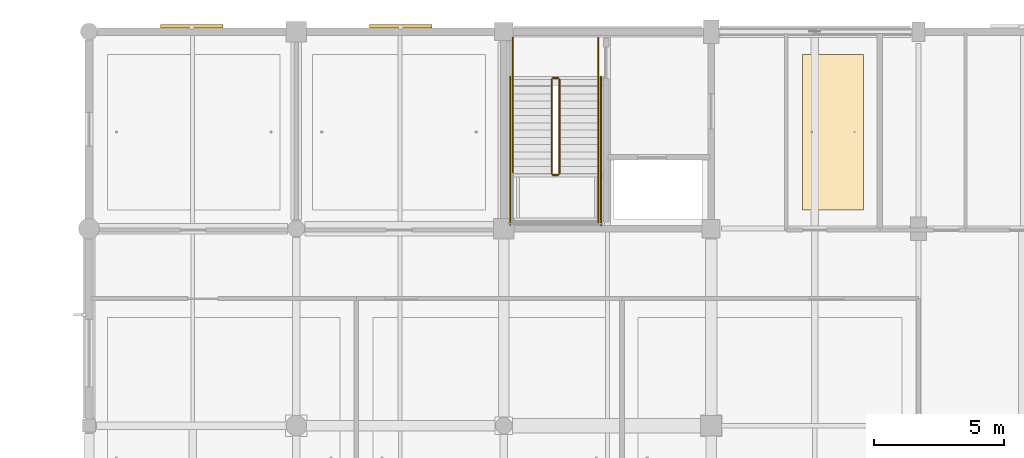
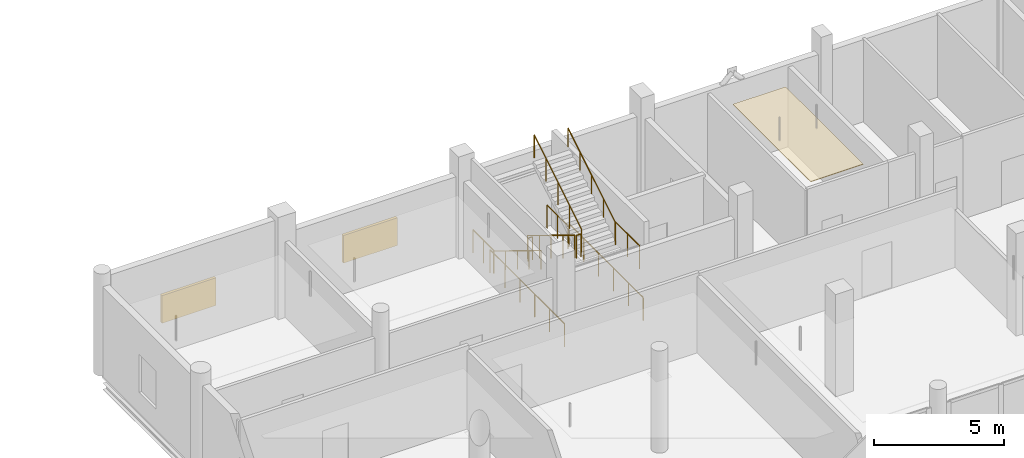
# One storey, part 140 of 141: 11 railings, 2 shading devices, 1 covering.
"""IFC4 building model written with IfcOpenShell, lengths in metres."""

from ifc_helpers import new_model, si_unit, direction, frame, origin, origin_2d, place, context, subcontext, project, spatial, polyline, rectangle, circle, outline, extrude, material, layer, layer_set, type_object, element, save


model = new_model("IFC4")

# Units and contexts
model_context = context("Model", 3, precision=1e-05, world=origin(), true_north=direction((0.0, 1.0)))
body_context = subcontext(model_context, "Body", "Model", "MODEL_VIEW")
ifc_project = project(units=[si_unit("LENGTHUNIT", "METRE"), si_unit("AREAUNIT", "SQUARE_METRE"), si_unit("VOLUMEUNIT", "CUBIC_METRE"), si_unit("PLANEANGLEUNIT", "RADIAN"), si_unit("MASSUNIT", "GRAM", prefix="KILO")], contexts=[model_context])

# Site, building, storey
site_placement = place(None, origin())
site = spatial("IfcSite", under=ifc_project, at=site_placement, CompositionType="ELEMENT")
building_placement = place(site_placement, origin())
building = spatial("IfcBuilding", under=site, at=building_placement, Name="Khelvaren Railside Concert Hall", CompositionType="ELEMENT")
storey_placement = place(building_placement, frame((0.0, 0.0, 10.199951171875)))
storey = spatial("IfcBuildingStorey", under=building, at=storey_placement, Name="L02", CompositionType="ELEMENT", Elevation=10.199951171875)

# Covering
ifc_material_1 = material(Name="Micro-perforated timber acoustic ceiling", Category="wood")
ifc_layer = layer(ifc_material_1, 0.030029296875)
ifc_layer_set = layer_set([ifc_layer], Name="Micro-perforated timber acoustic ceiling")
covering_type = type_object("IfcCoveringType", Name="CLG77", PredefinedType="CEILING", material=ifc_layer_set)
covering_placement = place(storey_placement, frame((0.0, 0.0, 3.420166015625)))
element("IfcCovering", 1, at=covering_placement, inside=storey, type_object=covering_type, Name="Suspended Acoustic Ceiling Backstage Linen Store L02", PredefinedType="CEILING", context=body_context, shape_type="SweptSolid", body=[
    extrude(outline(polyline([(155.530029296875, 107.1298828125), (157.8759765625, 107.1298828125), (157.8759765625, 113.1201171875), (155.530029296875, 113.1201171875), (155.530029296875, 107.1298828125)])), origin(), (0.0, 0.0, 1.0), 0.02978515625),
])

# Railings
ifc_material_2 = material(Name="Painted architectural steel", Category="steel")
railing_type_1 = type_object("IfcRailingType", Name="GRD86", PredefinedType="GUARDRAIL", material=ifc_material_2)
railing_1_placement = place(storey_placement, frame((145.85009765625, 112.159912109375, 0.17138671875)))
element("IfcRailing", 2, at=railing_1_placement, inside=storey, type_object=railing_type_1, Name="L02 ST-09 stair guard 1", PredefinedType="GUARDRAIL", context=body_context, shape_type="SweptSolid", body=[
    extrude(circle(Radius=0.02392578125, at=origin_2d()), frame((0.0, 0.0, 1.076171875), z_axis=(0.0, -0.852824790078, 0.522197163366), x_axis=(1.0, 0.0, 0.0)), (0.0, 0.0, 1.0), 4.26806640625),
    extrude(circle(Radius=0.02099609375, at=origin_2d()), origin(), (0.0, 0.0, 1.0), 1.052001953125),
    extrude(circle(Radius=0.02099609375, at=origin_2d()), frame((0.0, -0.909912109375, 0.55712890625)), (0.0, 0.0, 1.0), 1.052001953125),
    extrude(circle(Radius=0.02099609375, at=origin_2d()), frame((0.0, -1.81982421875, 1.1142578125)), (0.0, 0.0, 1.0), 1.052001953125),
    extrude(circle(Radius=0.02099609375, at=origin_2d()), frame((0.0, -2.72998046875, 1.671630859375)), (0.0, 0.0, 1.0), 1.052001953125),
    extrude(circle(Radius=0.02099609375, at=origin_2d()), frame((0.0, -3.639892578125, 2.228759765625)), (0.0, 0.0, 1.0), 1.052001953125),
])
railing_2_placement = place(storey_placement, frame((145.89990234375, 108.469970703125, 2.400146484375)))
element("IfcRailing", 3, at=railing_2_placement, inside=storey, type_object=railing_type_1, Name="L02 ST-09 stair guard 2", PredefinedType="GUARDRAIL", context=body_context, shape_type="SweptSolid", body=[
    extrude(circle(Radius=0.02392578125, at=origin_2d()), frame((0.0, 0.0, 1.076171875), z_axis=(1.0, 0.0, 0.0), x_axis=(0.0, 1.0, 0.0)), (0.0, 0.0, 1.0), 0.2001953125),
    extrude(circle(Radius=0.02099609375, at=origin_2d()), origin(), (0.0, 0.0, 1.0), 1.052001953125),
    extrude(circle(Radius=0.02099609375, at=origin_2d()), frame((0.2001953125, 0.0, 0.0)), (0.0, 0.0, 1.0), 1.052001953125),
])
railing_3_placement = place(storey_placement, frame((147.64990234375, 108.52001953125, 2.400146484375)))
element("IfcRailing", 4, at=railing_3_placement, inside=storey, type_object=railing_type_1, Name="L02 ST-09 stair guard 4", PredefinedType="GUARDRAIL", context=body_context, shape_type="SweptSolid", body=[
    extrude(circle(Radius=0.02392578125, at=origin_2d()), frame((0.0, 0.0, 1.076171875), z_axis=(0.0, -1.0, 0.0), x_axis=(1.0, 0.0, 0.0)), (0.0, 0.0, 1.0), 1.880126953125),
    extrude(circle(Radius=0.02099609375, at=origin_2d()), origin(), (0.0, 0.0, 1.0), 1.052001953125),
    extrude(circle(Radius=0.02099609375, at=origin_2d()), frame((0.0, -0.93994140625, 0.0)), (0.0, 0.0, 1.0), 1.052001953125),
    extrude(circle(Radius=0.02099609375, at=origin_2d()), frame((0.0, -1.880126953125, 0.0)), (0.0, 0.0, 1.0), 1.052001953125),
])
railing_4_placement = place(storey_placement, frame((146.14990234375, 108.52001953125, 2.571533203125)))
element("IfcRailing", 5, at=railing_4_placement, inside=storey, type_object=railing_type_1, Name="L02 ST-09 stair guard 6", PredefinedType="GUARDRAIL", context=body_context, shape_type="SweptSolid", body=[
    extrude(circle(Radius=0.02392578125, at=origin_2d()), frame((0.0, 0.0, 1.076171875), z_axis=(0.0, 0.852850264322, 0.5221555579), x_axis=(-1.0, 0.0, 0.0)), (0.0, 0.0, 1.0), 4.267822265625),
    extrude(circle(Radius=0.02099609375, at=origin_2d()), origin(), (0.0, 0.0, 1.0), 1.052001953125),
    extrude(circle(Radius=0.02099609375, at=origin_2d()), frame((0.0, 0.909912109375, 0.55712890625)), (0.0, 0.0, 1.0), 1.052001953125),
    extrude(circle(Radius=0.02099609375, at=origin_2d()), frame((0.0, 1.81982421875, 1.1142578125)), (0.0, 0.0, 1.0), 1.052001953125),
    extrude(circle(Radius=0.02099609375, at=origin_2d()), frame((0.0, 2.72998046875, 1.67138671875)), (0.0, 0.0, 1.0), 1.052001953125),
    extrude(circle(Radius=0.02099609375, at=origin_2d()), frame((0.0, 3.639892578125, 2.228515625)), (0.0, 0.0, 1.0), 1.052001953125),
])
railing_5_placement = place(storey_placement, frame((145.89990234375, 112.2099609375, 0.0)))
element("IfcRailing", 6, at=railing_5_placement, inside=storey, type_object=railing_type_1, Name="L02 ST-09 stair guard 7", PredefinedType="GUARDRAIL", context=body_context, shape_type="SweptSolid", body=[
    extrude(circle(Radius=0.02392578125, at=origin_2d()), frame((0.0, 0.0, 1.076171875), z_axis=(1.0, 0.0, 0.0), x_axis=(0.0, 1.0, 0.0)), (0.0, 0.0, 1.0), 0.2001953125),
    extrude(circle(Radius=0.02099609375, at=origin_2d()), origin(), (0.0, 0.0, 1.0), 1.052001953125),
    extrude(circle(Radius=0.02099609375, at=origin_2d()), frame((0.2001953125, 0.0, 0.0)), (0.0, 0.0, 1.0), 1.052001953125),
])
for number, where, name in (
    (7, (144.35009765625, 113.760009765625, 0.0), "L02 ST-09 stair guard 8"),
    (8, (147.64990234375, 113.760009765625, 0.0), "L02 ST-09 stair guard 9"),
):
    element("IfcRailing", number, at=place(storey_placement, frame(where)), inside=storey, type_object=railing_type_1, Name=name, PredefinedType="GUARDRAIL", context=body_context, shape_type="SweptSolid", body=[
        extrude(circle(Radius=0.02392578125, at=origin_2d()), frame((0.0, 0.0, 1.076171875), z_axis=(0.0, -1.0, 0.0), x_axis=(1.0, 0.0, 0.0)), (0.0, 0.0, 1.0), 1.60009765625),
        extrude(circle(Radius=0.02099609375, at=origin_2d()), origin(), (0.0, 0.0, 1.0), 1.052001953125),
        extrude(circle(Radius=0.02099609375, at=origin_2d()), frame((0.0, -0.800048828125, 0.0)), (0.0, 0.0, 1.0), 1.052001953125),
        extrude(circle(Radius=0.02099609375, at=origin_2d()), frame((0.0, -1.60009765625, 0.0)), (0.0, 0.0, 1.0), 1.052001953125),
    ])
for number, where, name in (
    (9, (144.25, 112.260009765625, 0.0), "L02 ST-09 stair guard 10"),
    (10, (147.75, 112.260009765625, 0.0), "L02 ST-09 stair guard 11"),
):
    element("IfcRailing", number, at=place(storey_placement, frame(where)), inside=storey, type_object=railing_type_1, Name=name, PredefinedType="GUARDRAIL", context=body_context, shape_type="SweptSolid", body=[
        extrude(circle(Radius=0.02392578125, at=origin_2d()), frame((0.0, 0.0, 1.076171875), z_axis=(0.0, -1.0, 0.0), x_axis=(1.0, 0.0, 0.0)), (0.0, 0.0, 1.0), 5.719970703125),
        extrude(circle(Radius=0.02099609375, at=origin_2d()), origin(), (0.0, 0.0, 1.0), 1.052001953125),
        extrude(circle(Radius=0.02099609375, at=origin_2d()), frame((0.0, -1.14404296875, 0.0)), (0.0, 0.0, 1.0), 1.052001953125),
        extrude(circle(Radius=0.02099609375, at=origin_2d()), frame((0.0, -2.2880859375, 0.0)), (0.0, 0.0, 1.0), 1.052001953125),
        extrude(circle(Radius=0.02099609375, at=origin_2d()), frame((0.0, -3.431884765625, 0.0)), (0.0, 0.0, 1.0), 1.052001953125),
        extrude(circle(Radius=0.02099609375, at=origin_2d()), frame((0.0, -4.575927734375, 0.0)), (0.0, 0.0, 1.0), 1.052001953125),
        extrude(circle(Radius=0.02099609375, at=origin_2d()), frame((0.0, -5.719970703125, 0.0)), (0.0, 0.0, 1.0), 1.052001953125),
    ])
ifc_material_3 = material(Name="Brushed stainless steel Grade 316", Category="steel")
railing_type_2 = type_object("IfcRailingType", Name="HRL59", PredefinedType="HANDRAIL", material=ifc_material_3)
railing_6_placement = place(storey_placement, frame((144.35009765625, 112.159912109375, 0.17138671875)))
element("IfcRailing", 11, at=railing_6_placement, inside=storey, type_object=railing_type_2, Name="L02 ST-09 stair handrail 1", PredefinedType="HANDRAIL", context=body_context, shape_type="SweptSolid", body=[
    extrude(circle(Radius=0.02392578125, at=origin_2d()), frame((0.0, 0.0, 0.8759765625), z_axis=(0.0, -0.852824790078, 0.522197163366), x_axis=(1.0, 0.0, 0.0)), (0.0, 0.0, 1.0), 4.26806640625),
    extrude(circle(Radius=0.02099609375, at=origin_2d()), origin(), (0.0, 0.0, 1.0), 0.851806640625),
    extrude(circle(Radius=0.02099609375, at=origin_2d()), frame((0.0, -0.909912109375, 0.55712890625)), (0.0, 0.0, 1.0), 0.851806640625),
    extrude(circle(Radius=0.02099609375, at=origin_2d()), frame((0.0, -1.81982421875, 1.1142578125)), (0.0, 0.0, 1.0), 0.851806640625),
    extrude(circle(Radius=0.02099609375, at=origin_2d()), frame((0.0, -2.72998046875, 1.671630859375)), (0.0, 0.0, 1.0), 0.851806640625),
    extrude(circle(Radius=0.02099609375, at=origin_2d()), frame((0.0, -3.639892578125, 2.228759765625)), (0.0, 0.0, 1.0), 0.851806640625),
])
railing_7_placement = place(storey_placement, frame((147.64990234375, 108.52001953125, 2.571533203125)))
element("IfcRailing", 12, at=railing_7_placement, inside=storey, type_object=railing_type_2, Name="L02 ST-09 stair handrail 2", PredefinedType="HANDRAIL", context=body_context, shape_type="SweptSolid", body=[
    extrude(circle(Radius=0.02392578125, at=origin_2d()), frame((0.0, 0.0, 0.8759765625), z_axis=(0.0, 0.852850264322, 0.5221555579), x_axis=(-1.0, 0.0, 0.0)), (0.0, 0.0, 1.0), 4.267822265625),
    extrude(circle(Radius=0.02099609375, at=origin_2d()), origin(), (0.0, 0.0, 1.0), 0.851806640625),
    extrude(circle(Radius=0.02099609375, at=origin_2d()), frame((0.0, 0.909912109375, 0.55712890625)), (0.0, 0.0, 1.0), 0.851806640625),
    extrude(circle(Radius=0.02099609375, at=origin_2d()), frame((0.0, 1.81982421875, 1.1142578125)), (0.0, 0.0, 1.0), 0.851806640625),
    extrude(circle(Radius=0.02099609375, at=origin_2d()), frame((0.0, 2.72998046875, 1.67138671875)), (0.0, 0.0, 1.0), 0.851806640625),
    extrude(circle(Radius=0.02099609375, at=origin_2d()), frame((0.0, 3.639892578125, 2.228515625)), (0.0, 0.0, 1.0), 0.851806640625),
])

# Shading devices
ifc_material_4 = material(Name="Anodised bronze aluminium 6063-T6", Category="aluminium")
shading_device_type = type_object("IfcShadingDeviceType", Name="LVR71", PredefinedType="JALOUSIE", material=ifc_material_4)
for number, where, z_axis, x_axis, name in (
    (13, (131.96240234375, 114.2099609375, 1.2001953125), (0.0, 0.0, 1.0), (1.0, 0.0, 0.0), "Acoustic Weather Louvre EW-V5-L02-N-128"),
    (14, (140.02490234375, 114.2099609375, 1.2001953125), (0.0, 0.0, 1.0), (1.0, 0.0, 0.0), "Acoustic Weather Louvre EW-V5-L02-N-136"),
):
    element("IfcShadingDevice", number, at=place(storey_placement, frame(where, z_axis=z_axis, x_axis=x_axis)), inside=storey, type_object=shading_device_type, Name=name, PredefinedType="JALOUSIE", context=body_context, shape_type="SweptSolid", body=[
        extrude(rectangle(XDim=2.39990234375, YDim=0.1201171875, at=origin_2d()), origin(), (0.0, 0.0, 1.0), 1.300048828125),
    ])

save(model, "model.ifc")
